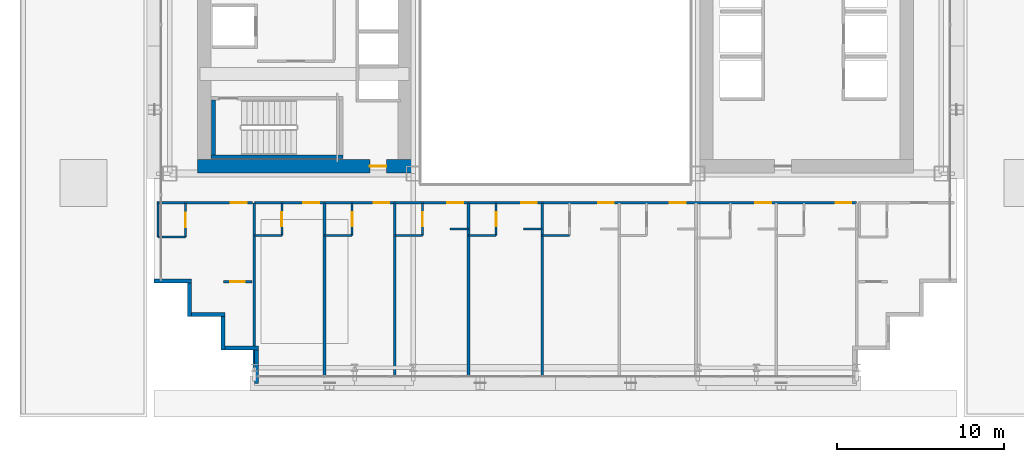
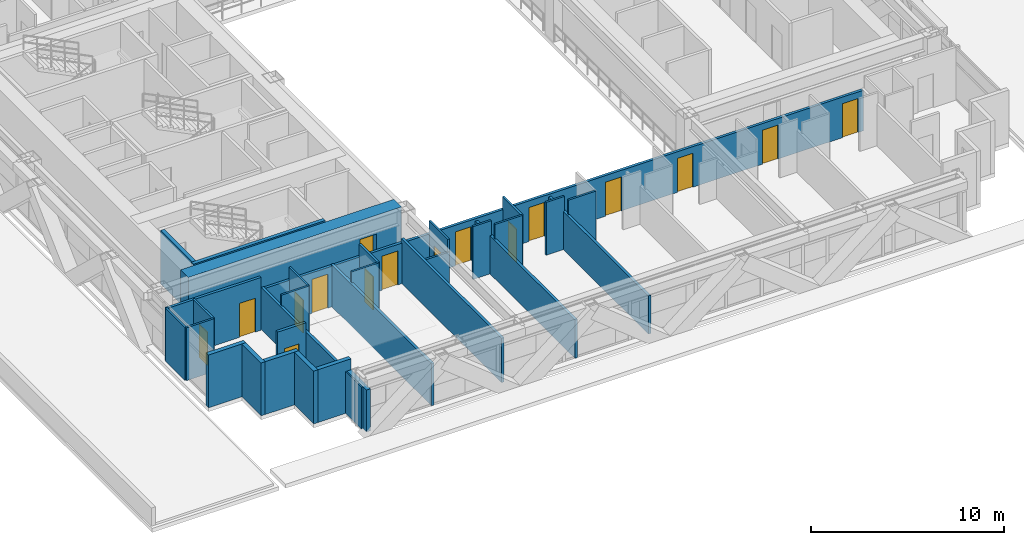
# One storey, part 26 of 35: 31 walls, 16 doors, 16 openings.
"""IFC4 building model written with IfcOpenShell, lengths in metres."""

from ifc_helpers import new_model, si_unit, direction, frame, frame_2d, origin, place, context, subcontext, project, spatial, rectangle, extrude, source, transform, mapped, material, layer, layer_set, type_object, element, fill, save


model = new_model("IFC4")

# Units and contexts
model_context = context("Model", 3, precision=1e-05, world=origin(), true_north=direction((0.0, 1.0)))
body_context = subcontext(model_context, "Body", "Model", "MODEL_VIEW")
ifc_project = project(units=[si_unit("LENGTHUNIT", "METRE"), si_unit("AREAUNIT", "SQUARE_METRE"), si_unit("VOLUMEUNIT", "CUBIC_METRE"), si_unit("PLANEANGLEUNIT", "RADIAN"), si_unit("MASSUNIT", "GRAM", prefix="KILO")], contexts=[model_context])

# Site, building, storey
site_placement = place(None, origin())
site = spatial("IfcSite", under=ifc_project, at=site_placement, CompositionType="ELEMENT")
building_placement = place(site_placement, origin())
building = spatial("IfcBuilding", under=site, at=building_placement, Name="Ocotamira Hotel", CompositionType="ELEMENT")
storey_placement = place(building_placement, frame((0.0, 0.0, 34.800048828125)))
storey = spatial("IfcBuildingStorey", under=building, at=storey_placement, Name="L07", CompositionType="ELEMENT", Elevation=34.800048828125)

# Wall, opening, door
ifc_material_1 = material(Name="Concrete C60/75", Category="concrete")
ifc_layer_1 = layer(ifc_material_1, 0.800048828125)
ifc_layer_set_1 = layer_set([ifc_layer_1], Name="Concrete C60/75")
wall_type_1 = type_object("IfcWallType", Name="WL-CORE-800", PredefinedType="SHEAR", material=ifc_layer_set_1)
wall_1_placement = place(storey_placement, frame((10.60009765625, 15.0, 0.0), z_axis=(0.0, 0.0, 1.0), x_axis=(1.0, 0.0, 0.0)))
wall_1 = element("IfcWall", 1, at=wall_1_placement, inside=storey, type_object=wall_type_1, Name="L07 Shear Core Wall WCORE-S", PredefinedType="SHEAR", context=body_context, shape_type="SweptSolid", body=[
    extrude(rectangle(XDim=12.7998046875, YDim=0.800048828125, at=frame_2d((6.39990234375, 0.0))), origin(), (0.0, 0.0, 1.0), 3.349853515625),
])
opening_1_placement = place(wall_1_placement, frame((10.300048828125, 0.0, 0.0)))
opening_1 = element("IfcOpeningElement", 2, at=opening_1_placement, cuts=wall_1, Name="Opening D-FR2", PredefinedType="OPENING", context=body_context, shape_type="SweptSolid", body=[
    extrude(rectangle(XDim=1.0, YDim=2.14990234375, at=frame_2d((0.5, 1.074951171875))), frame((0.0, 0.41015625, 0.0), z_axis=(0.0, -1.0, 0.0), x_axis=(1.0, 0.0, 0.0)), (0.0, 0.0, 1.0), 0.820068359375),
])
ifc_material_2 = material(Name="Fire-rated acoustic timber-veneer door", Category="wood")
door_type_1 = type_object("IfcDoorType", Name="DR-FIRE-1000", OperationType="NOTDEFINED", PredefinedType="DOOR", material=ifc_material_2)
shared_shape_1 = source(origin(), body_context, "Body", "SweptSolid", [
    extrude(rectangle(XDim=1.0, YDim=2.14990234375, at=frame_2d((0.5, 1.074951171875))), frame((0.0, 0.02490234375, 0.0), z_axis=(0.0, -1.0, 0.0), x_axis=(1.0, 0.0, 0.0)), (0.0, 0.0, 1.0), 0.050048828125),
])
door_1_placement = place(opening_1_placement, origin())
door_1 = element("IfcDoor", 3, at=door_1_placement, inside=storey, type_object=door_type_1, Name="L07 Door ID-L07-WLOB-S-D [ID-L07-WLOB-S-D]", OperationType="SINGLE_SWING_LEFT", OverallHeight=2.14990234375, OverallWidth=1.0, PredefinedType="DOOR", context=body_context, shape_type="MappedRepresentation", body=[
    mapped(shared_shape_1, transform((0.0, 0.0, 0.0), scale=1.0)),
])
fill(opening_1, door_1)

# Walls
ifc_material_3 = material(Name="Precast concrete C45/55", Category="concrete")
ifc_layer_2 = layer(ifc_material_3, 0.25)
ifc_layer_set_2 = layer_set([ifc_layer_2], Name="Precast concrete C45/55")
wall_type_2 = type_object("IfcWallType", Name="WL-EXT-SER-250", PredefinedType="SOLIDWALL", material=ifc_layer_set_2)
wall_2_placement = place(storey_placement, frame((8.0, 8.125, 0.0), z_axis=(0.0, 0.0, 1.0), x_axis=(1.0, 0.0, 0.0)))
element("IfcWall", 4, at=wall_2_placement, inside=storey, type_object=wall_type_2, Name="L07 Serrated Corner Wall 19", PredefinedType="SOLIDWALL", context=body_context, shape_type="SweptSolid", body=[
    extrude(rectangle(XDim=2.25, YDim=0.25, at=frame_2d((1.125, 0.0))), origin(), (0.0, 0.0, 1.0), 3.349853515625),
])
for number, where, z_axis, x_axis, name in (
    (5, (10.125, 8.0, 0.0), (0.0, 0.0, 1.0), (0.0, -1.0, 0.0), "L07 Serrated Corner Wall 20"),
    (6, (10.25, 6.125, 0.0), (0.0, 0.0, 1.0), (1.0, 0.0, 0.0), "L07 Serrated Corner Wall 21"),
    (7, (12.125, 6.0, 0.0), (0.0, 0.0, 1.0), (0.0, -1.0, 0.0), "L07 Serrated Corner Wall 22"),
    (8, (12.25, 4.125, 0.0), (0.0, 0.0, 1.0), (1.0, 0.0, 0.0), "L07 Serrated Corner Wall 23"),
):
    element("IfcWall", number, at=place(storey_placement, frame(where, z_axis=z_axis, x_axis=x_axis)), inside=storey, type_object=wall_type_2, Name=name, PredefinedType="SOLIDWALL", context=body_context, shape_type="SweptSolid", body=[
        extrude(rectangle(XDim=2.0, YDim=0.25, at=frame_2d((1.0, 0.0))), origin(), (0.0, 0.0, 1.0), 3.349853515625),
    ])
wall_3_placement = place(storey_placement, frame((14.125, 4.0, 0.0), z_axis=(0.0, 0.0, 1.0), x_axis=(0.0, -1.0, 0.0)))
element("IfcWall", 9, at=wall_3_placement, inside=storey, type_object=wall_type_2, Name="L07 Serrated Corner Wall 24", PredefinedType="SOLIDWALL", context=body_context, shape_type="SweptSolid", body=[
    extrude(rectangle(XDim=2.0, YDim=0.25, at=frame_2d((1.0, 0.0))), origin(), (0.0, 0.0, 1.0), 2.656982421875),
])

# Wall, opening, door
ifc_material_4 = material(Name="Acoustic double-layer fire gypsum board partition", Category="gypsum")
ifc_layer_3 = layer(ifc_material_4, 0.159912109375)
ifc_layer_set_3 = layer_set([ifc_layer_3], Name="Acoustic double-layer fire gypsum board partition")
wall_type_3 = type_object("IfcWallType", Name="WL-FIRE-160", PredefinedType="PARTITIONING", material=ifc_layer_set_3)
wall_4_placement = place(storey_placement, frame((8.199951171875, 12.800048828125, 0.0), z_axis=(0.0, 0.0, 1.0), x_axis=(1.0, 0.0, 0.0)))
wall_4 = element("IfcWall", 10, at=wall_4_placement, inside=storey, type_object=wall_type_3, Name="L07 Interior Wall PW-L07-Z1A-CSW-CW", PredefinedType="PARTITIONING", context=body_context, shape_type="SweptSolid", body=[
    extrude(rectangle(XDim=5.679931640625, YDim=0.159912109375, at=frame_2d((2.83984375, 0.0))), origin(), (0.0, 0.0, 1.0), 3.349853515625),
])
opening_2_placement = place(wall_4_placement, frame((4.39990234375, 0.0, 0.0)))
opening_2 = element("IfcOpeningElement", 11, at=opening_2_placement, cuts=wall_4, Name="Opening D-GR1", PredefinedType="OPENING", context=body_context, shape_type="SweptSolid", body=[
    extrude(rectangle(XDim=0.93994140625, YDim=2.14990234375, at=frame_2d((0.469970703125, 1.074951171875))), frame((0.0, 0.08984375, 0.0), z_axis=(0.0, -1.0, 0.0), x_axis=(1.0, 0.0, 0.0)), (0.0, 0.0, 1.0), 0.179931640625),
])
ifc_material_5 = material(Name="Solid-core walnut suite entrance fire door", Category="wood")
door_type_2 = type_object("IfcDoorType", Name="DR-GUEST-940", OperationType="NOTDEFINED", PredefinedType="DOOR", material=ifc_material_5)
shared_shape_2 = source(origin(), body_context, "Body", "SweptSolid", [
    extrude(rectangle(XDim=0.93994140625, YDim=2.14990234375, at=frame_2d((0.469970703125, 1.074951171875))), frame((0.0, 0.02490234375, 0.0), z_axis=(0.0, -1.0, 0.0), x_axis=(1.0, 0.0, 0.0)), (0.0, 0.0, 1.0), 0.050048828125),
])
door_2_placement = place(opening_2_placement, origin())
door_2 = element("IfcDoor", 12, at=door_2_placement, inside=storey, type_object=door_type_2, Name="L07 Door ID-L07-Z1A-CSW-CD [ID-L07-Z1A-CSW-CD]", OperationType="SINGLE_SWING_RIGHT", OverallHeight=2.14990234375, OverallWidth=0.93994140625, PredefinedType="DOOR", context=body_context, shape_type="MappedRepresentation", body=[
    mapped(shared_shape_2, transform((0.0, 0.0, 0.0), scale=1.0)),
])
fill(opening_2, door_2)

wall_5_placement = place(storey_placement, frame((12.14990234375, 8.080078125, 0.0), z_axis=(0.0, 0.0, 1.0), x_axis=(1.0, 0.0, 0.0)))
wall_5 = element("IfcWall", 13, at=wall_5_placement, inside=storey, type_object=wall_type_3, Name="L07 Interior Wall PW-L07-Z1A-CSW2-CW", PredefinedType="PARTITIONING", context=body_context, shape_type="SweptSolid", body=[
    extrude(rectangle(XDim=1.7001953125, YDim=0.159912109375, at=frame_2d((0.85009765625, 0.0))), origin(), (0.0, 0.0, 1.0), 3.349853515625),
])
opening_3_placement = place(wall_5_placement, frame((0.409912109375, 0.0, 0.0)))
opening_3 = element("IfcOpeningElement", 14, at=opening_3_placement, cuts=wall_5, Name="Opening D-SV2", PredefinedType="OPENING", context=body_context, shape_type="SweptSolid", body=[
    extrude(rectangle(XDim=0.8798828125, YDim=2.14990234375, at=frame_2d((0.43994140625, 1.074951171875))), frame((0.0, 0.08984375, 0.0), z_axis=(0.0, -1.0, 0.0), x_axis=(1.0, 0.0, 0.0)), (0.0, 0.0, 1.0), 0.179931640625),
])
ifc_material_6 = material(Name="Fire-rated painted steel service door", Category="steel")
door_type_3 = type_object("IfcDoorType", Name="DR-SERV-880", OperationType="NOTDEFINED", PredefinedType="DOOR", material=ifc_material_6)
shared_shape_3 = source(origin(), body_context, "Body", "SweptSolid", [
    extrude(rectangle(XDim=0.8798828125, YDim=2.14990234375, at=frame_2d((0.43994140625, 1.074951171875))), frame((0.0, 0.02490234375, 0.0), z_axis=(0.0, -1.0, 0.0), x_axis=(1.0, 0.0, 0.0)), (0.0, 0.0, 1.0), 0.050048828125),
])
door_3_placement = place(opening_3_placement, origin())
door_3 = element("IfcDoor", 15, at=door_3_placement, inside=storey, type_object=door_type_3, Name="L07 Door ID-L07-Z1A-CSW2-CD [ID-L07-Z1A-CSW2-CD]", OperationType="SINGLE_SWING_LEFT", OverallHeight=2.14990234375, OverallWidth=0.8798828125, PredefinedType="DOOR", context=body_context, shape_type="MappedRepresentation", body=[
    mapped(shared_shape_3, transform((0.0, 0.0, 0.0), scale=1.0)),
])
fill(opening_3, door_3)

# Wall, openings, doors
wall_6_placement = place(storey_placement, frame((14.0, 12.800048828125, 0.0), z_axis=(0.0, 0.0, 1.0), x_axis=(1.0, 0.0, 0.0)))
wall_6 = element("IfcWall", 16, at=wall_6_placement, inside=storey, type_object=wall_type_3, Name="L07 Interior Wall PW-L07-Z1AS-CORRW", PredefinedType="PARTITIONING", context=body_context, shape_type="SweptSolid", body=[
    extrude(rectangle(XDim=36.0, YDim=0.159912109375, at=frame_2d((18.0, 0.0))), origin(), (0.0, 0.0, 1.0), 2.571044921875),
])
opening_4_placement = place(wall_6_placement, frame((2.93994140625, 0.0, 0.0)))
opening_4 = element("IfcOpeningElement", 17, at=opening_4_placement, cuts=wall_6, Name="Opening D-GR1", PredefinedType="OPENING", context=body_context, shape_type="SweptSolid", body=[
    extrude(rectangle(XDim=0.93994140625, YDim=2.14990234375, at=frame_2d((0.469970703125, 1.074951171875))), frame((0.0, 0.08984375, 0.0), z_axis=(0.0, -1.0, 0.0), x_axis=(1.0, 0.0, 0.0)), (0.0, 0.0, 1.0), 0.179931640625),
])
opening_5_placement = place(wall_6_placement, frame((7.139892578125, 0.0, 0.0)))
opening_5 = element("IfcOpeningElement", 18, at=opening_5_placement, cuts=wall_6, Name="Opening D-GR1", PredefinedType="OPENING", context=body_context, shape_type="SweptSolid", body=[
    extrude(rectangle(XDim=0.93994140625, YDim=2.14990234375, at=frame_2d((0.469970703125, 1.074951171875))), frame((0.0, 0.08984375, 0.0), z_axis=(0.0, -1.0, 0.0), x_axis=(1.0, 0.0, 0.0)), (0.0, 0.0, 1.0), 0.179931640625),
])
opening_6_placement = place(wall_6_placement, frame((11.5400390625, 0.0, 0.0)))
opening_6 = element("IfcOpeningElement", 19, at=opening_6_placement, cuts=wall_6, Name="Opening D-GR1", PredefinedType="OPENING", context=body_context, shape_type="SweptSolid", body=[
    extrude(rectangle(XDim=0.93994140625, YDim=2.14990234375, at=frame_2d((0.469970703125, 1.074951171875))), frame((0.0, 0.08984375, 0.0), z_axis=(0.0, -1.0, 0.0), x_axis=(1.0, 0.0, 0.0)), (0.0, 0.0, 1.0), 0.179931640625),
])
opening_7_placement = place(wall_6_placement, frame((15.93994140625, 0.0, 0.0)))
opening_7 = element("IfcOpeningElement", 20, at=opening_7_placement, cuts=wall_6, Name="Opening D-GR1", PredefinedType="OPENING", context=body_context, shape_type="SweptSolid", body=[
    extrude(rectangle(XDim=0.93994140625, YDim=2.14990234375, at=frame_2d((0.469970703125, 1.074951171875))), frame((0.0, 0.08984375, 0.0), z_axis=(0.0, -1.0, 0.0), x_axis=(1.0, 0.0, 0.0)), (0.0, 0.0, 1.0), 0.179931640625),
])
opening_8_placement = place(wall_6_placement, frame((20.5400390625, 0.0, 0.0)))
opening_8 = element("IfcOpeningElement", 21, at=opening_8_placement, cuts=wall_6, Name="Opening D-GR1", PredefinedType="OPENING", context=body_context, shape_type="SweptSolid", body=[
    extrude(rectangle(XDim=0.93994140625, YDim=2.14990234375, at=frame_2d((0.469970703125, 1.074951171875))), frame((0.0, 0.08984375, 0.0), z_axis=(0.0, -1.0, 0.0), x_axis=(1.0, 0.0, 0.0)), (0.0, 0.0, 1.0), 0.179931640625),
])
opening_9_placement = place(wall_6_placement, frame((24.840087890625, 0.0, 0.0)))
opening_9 = element("IfcOpeningElement", 22, at=opening_9_placement, cuts=wall_6, Name="Opening D-GR1", PredefinedType="OPENING", context=body_context, shape_type="SweptSolid", body=[
    extrude(rectangle(XDim=0.93994140625, YDim=2.14990234375, at=frame_2d((0.469970703125, 1.074951171875))), frame((0.0, 0.08984375, 0.0), z_axis=(0.0, -1.0, 0.0), x_axis=(1.0, 0.0, 0.0)), (0.0, 0.0, 1.0), 0.179931640625),
])
opening_10_placement = place(wall_6_placement, frame((29.93994140625, 0.0, 0.0)))
opening_10 = element("IfcOpeningElement", 23, at=opening_10_placement, cuts=wall_6, Name="Opening D-GR1", PredefinedType="OPENING", context=body_context, shape_type="SweptSolid", body=[
    extrude(rectangle(XDim=0.93994140625, YDim=2.14990234375, at=frame_2d((0.469970703125, 1.074951171875))), frame((0.0, 0.08984375, 0.0), z_axis=(0.0, -1.0, 0.0), x_axis=(1.0, 0.0, 0.0)), (0.0, 0.0, 1.0), 0.179931640625),
])
opening_11_placement = place(wall_6_placement, frame((34.739990234375, 0.0, 0.0)))
opening_11 = element("IfcOpeningElement", 24, at=opening_11_placement, cuts=wall_6, Name="Opening D-GR1", PredefinedType="OPENING", context=body_context, shape_type="SweptSolid", body=[
    extrude(rectangle(XDim=0.93994140625, YDim=2.14990234375, at=frame_2d((0.469970703125, 1.074951171875))), frame((0.0, 0.08984375, 0.0), z_axis=(0.0, -1.0, 0.0), x_axis=(1.0, 0.0, 0.0)), (0.0, 0.0, 1.0), 0.179931640625),
])
door_4_placement = place(opening_4_placement, origin())
door_4 = element("IfcDoor", 25, at=door_4_placement, inside=storey, type_object=door_type_2, Name="L07 Door ID-L07-Z1AS-RMD1 [ID-L07-Z1AS-RMD1]", OperationType="SINGLE_SWING_LEFT", OverallHeight=2.14990234375, OverallWidth=0.93994140625, PredefinedType="DOOR", context=body_context, shape_type="MappedRepresentation", body=[
    mapped(shared_shape_2, transform((0.0, 0.0, 0.0), scale=1.0)),
])
fill(opening_4, door_4)
door_5_placement = place(opening_5_placement, origin())
door_5 = element("IfcDoor", 26, at=door_5_placement, inside=storey, type_object=door_type_2, Name="L07 Door ID-L07-Z1AS-RMD2 [ID-L07-Z1AS-RMD2]", OperationType="SINGLE_SWING_RIGHT", OverallHeight=2.14990234375, OverallWidth=0.93994140625, PredefinedType="DOOR", context=body_context, shape_type="MappedRepresentation", body=[
    mapped(shared_shape_2, transform((0.0, 0.0, 0.0), scale=1.0)),
])
fill(opening_5, door_5)
door_6_placement = place(opening_6_placement, origin())
door_6 = element("IfcDoor", 27, at=door_6_placement, inside=storey, type_object=door_type_2, Name="L07 Door ID-L07-Z1AS-RMD3 [ID-L07-Z1AS-RMD3]", OperationType="SINGLE_SWING_LEFT", OverallHeight=2.14990234375, OverallWidth=0.93994140625, PredefinedType="DOOR", context=body_context, shape_type="MappedRepresentation", body=[
    mapped(shared_shape_2, transform((0.0, 0.0, 0.0), scale=1.0)),
])
fill(opening_6, door_6)
door_7_placement = place(opening_7_placement, origin())
door_7 = element("IfcDoor", 28, at=door_7_placement, inside=storey, type_object=door_type_2, Name="L07 Door ID-L07-Z1AS-RMD4 [ID-L07-Z1AS-RMD4]", OperationType="SINGLE_SWING_RIGHT", OverallHeight=2.14990234375, OverallWidth=0.93994140625, PredefinedType="DOOR", context=body_context, shape_type="MappedRepresentation", body=[
    mapped(shared_shape_2, transform((0.0, 0.0, 0.0), scale=1.0)),
])
fill(opening_7, door_7)
door_8_placement = place(opening_8_placement, origin())
door_8 = element("IfcDoor", 29, at=door_8_placement, inside=storey, type_object=door_type_2, Name="L07 Door ID-L07-Z1AS-RMD5 [ID-L07-Z1AS-RMD5]", OperationType="SINGLE_SWING_LEFT", OverallHeight=2.14990234375, OverallWidth=0.93994140625, PredefinedType="DOOR", context=body_context, shape_type="MappedRepresentation", body=[
    mapped(shared_shape_2, transform((0.0, 0.0, 0.0), scale=1.0)),
])
fill(opening_8, door_8)
door_9_placement = place(opening_9_placement, origin())
door_9 = element("IfcDoor", 30, at=door_9_placement, inside=storey, type_object=door_type_2, Name="L07 Door ID-L07-Z1AS-RMD6 [ID-L07-Z1AS-RMD6]", OperationType="SINGLE_SWING_RIGHT", OverallHeight=2.14990234375, OverallWidth=0.93994140625, PredefinedType="DOOR", context=body_context, shape_type="MappedRepresentation", body=[
    mapped(shared_shape_2, transform((0.0, 0.0, 0.0), scale=1.0)),
])
fill(opening_9, door_9)
door_10_placement = place(opening_10_placement, origin())
door_10 = element("IfcDoor", 31, at=door_10_placement, inside=storey, type_object=door_type_2, Name="L07 Door ID-L07-Z1AS-RMD7 [ID-L07-Z1AS-RMD7]", OperationType="SINGLE_SWING_LEFT", OverallHeight=2.14990234375, OverallWidth=0.93994140625, PredefinedType="DOOR", context=body_context, shape_type="MappedRepresentation", body=[
    mapped(shared_shape_2, transform((0.0, 0.0, 0.0), scale=1.0)),
])
fill(opening_10, door_10)
door_11_placement = place(opening_11_placement, origin())
door_11 = element("IfcDoor", 32, at=door_11_placement, inside=storey, type_object=door_type_2, Name="L07 Door ID-L07-Z1AS-RMD8 [ID-L07-Z1AS-RMD8]", OperationType="SINGLE_SWING_RIGHT", OverallHeight=2.14990234375, OverallWidth=0.93994140625, PredefinedType="DOOR", context=body_context, shape_type="MappedRepresentation", body=[
    mapped(shared_shape_2, transform((0.0, 0.0, 0.0), scale=1.0)),
])
fill(opening_11, door_11)

# Wall, opening, door
ifc_material_7 = material(Name="Moisture-resistant en-suite tile and gypsum partition", Category="gypsum")
ifc_layer_4 = layer(ifc_material_7, 0.1201171875)
ifc_layer_set_4 = layer_set([ifc_layer_4], Name="Moisture-resistant en-suite tile and gypsum partition")
wall_type_4 = type_object("IfcWallType", Name="WL-PART-120", PredefinedType="PARTITIONING", material=ifc_layer_set_4)
wall_7_placement = place(storey_placement, frame((9.889892578125, 10.760009765625, 0.0), z_axis=(0.0, 0.0, 1.0), x_axis=(0.0, 1.0, 0.0)))
wall_7 = element("IfcWall", 33, at=wall_7_placement, inside=storey, type_object=wall_type_4, Name="L07 Interior Wall PW-L07-Z1A-CSW-BE", PredefinedType="PARTITIONING", context=body_context, shape_type="SweptSolid", body=[
    extrude(rectangle(XDim=2.0400390625, YDim=0.1201171875, at=frame_2d((1.02001953125, 0.0))), origin(), (0.0, 0.0, 1.0), 3.349853515625),
])
opening_12_placement = place(wall_7_placement, frame((0.590087890625, 0.0, 0.0)))
opening_12 = element("IfcOpeningElement", 34, at=opening_12_placement, cuts=wall_7, Name="Opening D-BA1", PredefinedType="OPENING", context=body_context, shape_type="SweptSolid", body=[
    extrude(rectangle(XDim=0.860107421875, YDim=2.10009765625, at=frame_2d((0.43017578125, 1.050048828125))), frame((0.0, 0.070068359375, 0.0), z_axis=(0.0, -1.0, 0.0), x_axis=(1.0, 0.0, 0.0)), (0.0, 0.0, 1.0), 0.14013671875),
])
ifc_material_8 = material(Name="Moisture-sealed en-suite timber door", Category="wood")
door_type_4 = type_object("IfcDoorType", Name="DR-BATH-860", OperationType="NOTDEFINED", PredefinedType="DOOR", material=ifc_material_8)
shared_shape_4 = source(origin(), body_context, "Body", "SweptSolid", [
    extrude(rectangle(XDim=0.860107421875, YDim=2.10009765625, at=frame_2d((0.43017578125, 1.050048828125))), frame((0.0, 0.02490234375, 0.0), z_axis=(0.0, -1.0, 0.0), x_axis=(1.0, 0.0, 0.0)), (0.0, 0.0, 1.0), 0.050048828125),
])
door_12_placement = place(opening_12_placement, origin())
door_12 = element("IfcDoor", 35, at=door_12_placement, inside=storey, type_object=door_type_4, Name="L07 Door ID-L07-Z1A-CSW-BD [ID-L07-Z1A-CSW-BD]", OperationType="SINGLE_SWING_LEFT", OverallHeight=2.10009765625, OverallWidth=0.860107421875, PredefinedType="DOOR", context=body_context, shape_type="MappedRepresentation", body=[
    mapped(shared_shape_4, transform((0.0, 0.0, 0.0), scale=1.0)),
])
fill(opening_12, door_12)

# Walls
wall_8_placement = place(storey_placement, frame((8.239990234375, 10.760009765625, 0.0), z_axis=(0.0, 0.0, 1.0), x_axis=(0.0, 1.0, 0.0)))
element("IfcWall", 36, at=wall_8_placement, inside=storey, type_object=wall_type_4, Name="L07 Interior Wall PW-L07-Z1A-CSW-BW", PredefinedType="PARTITIONING", context=body_context, shape_type="SweptSolid", body=[
    extrude(rectangle(XDim=2.0400390625, YDim=0.1201171875, at=frame_2d((1.02001953125, 0.0))), origin(), (0.0, 0.0, 1.0), 3.349853515625),
])
wall_9_placement = place(storey_placement, frame((8.239990234375, 10.760009765625, 0.0), z_axis=(0.0, 0.0, 1.0), x_axis=(1.0, 0.0, 0.0)))
element("IfcWall", 37, at=wall_9_placement, inside=storey, type_object=wall_type_4, Name="L07 Interior Wall PW-L07-Z1A-CSW-BH", PredefinedType="PARTITIONING", context=body_context, shape_type="SweptSolid", body=[
    extrude(rectangle(XDim=1.64990234375, YDim=0.1201171875, at=frame_2d((0.824951171875, 0.0))), origin(), (0.0, 0.0, 1.0), 3.349853515625),
])

# Wall, opening, door
wall_10_placement = place(storey_placement, frame((15.64990234375, 10.85009765625, 0.0), z_axis=(0.0, 0.0, 1.0), x_axis=(0.0, 1.0, 0.0)))
wall_10 = element("IfcWall", 38, at=wall_10_placement, inside=storey, type_object=wall_type_4, Name="L07 Interior Wall PW-L07-Z1AS-BAE1", PredefinedType="PARTITIONING", context=body_context, shape_type="SweptSolid", body=[
    extrude(rectangle(XDim=1.949951171875, YDim=0.1201171875, at=frame_2d((0.97509765625, 0.0))), origin(), (0.0, 0.0, 1.0), 3.349853515625),
])
opening_13_placement = place(wall_10_placement, frame((0.544921875, 0.0, 0.0)))
opening_13 = element("IfcOpeningElement", 39, at=opening_13_placement, cuts=wall_10, Name="Opening D-BA1", PredefinedType="OPENING", context=body_context, shape_type="SweptSolid", body=[
    extrude(rectangle(XDim=0.860107421875, YDim=2.10009765625, at=frame_2d((0.43017578125, 1.050048828125))), frame((0.0, 0.070068359375, 0.0), z_axis=(0.0, -1.0, 0.0), x_axis=(1.0, 0.0, 0.0)), (0.0, 0.0, 1.0), 0.14013671875),
])
door_13_placement = place(opening_13_placement, origin())
door_13 = element("IfcDoor", 40, at=door_13_placement, inside=storey, type_object=door_type_4, Name="L07 Door ID-L07-Z1AS-BAD1 [ID-L07-Z1AS-BAD1]", OperationType="SINGLE_SWING_RIGHT", OverallHeight=2.10009765625, OverallWidth=0.860107421875, PredefinedType="DOOR", context=body_context, shape_type="MappedRepresentation", body=[
    mapped(shared_shape_4, transform((0.0, 0.0, 0.0), scale=1.0)),
])
fill(opening_13, door_13)

# Wall
wall_11_placement = place(storey_placement, frame((14.0, 10.85009765625, 0.0), z_axis=(0.0, 0.0, 1.0), x_axis=(1.0, 0.0, 0.0)))
element("IfcWall", 41, at=wall_11_placement, inside=storey, type_object=wall_type_4, Name="L07 Interior Wall PW-L07-Z1AS-BAS1", PredefinedType="PARTITIONING", context=body_context, shape_type="SweptSolid", body=[
    extrude(rectangle(XDim=1.64990234375, YDim=0.1201171875, at=frame_2d((0.824951171875, 0.0))), origin(), (0.0, 0.0, 1.0), 3.349853515625),
])

# Wall, opening, door
wall_12_placement = place(storey_placement, frame((19.85009765625, 10.85009765625, 0.0), z_axis=(0.0, 0.0, 1.0), x_axis=(0.0, 1.0, 0.0)))
wall_12 = element("IfcWall", 42, at=wall_12_placement, inside=storey, type_object=wall_type_4, Name="L07 Interior Wall PW-L07-Z1AS-BAE2", PredefinedType="PARTITIONING", context=body_context, shape_type="SweptSolid", body=[
    extrude(rectangle(XDim=1.949951171875, YDim=0.1201171875, at=frame_2d((0.97509765625, 0.0))), origin(), (0.0, 0.0, 1.0), 3.349853515625),
])
opening_14_placement = place(wall_12_placement, frame((0.544921875, 0.0, 0.0)))
opening_14 = element("IfcOpeningElement", 43, at=opening_14_placement, cuts=wall_12, Name="Opening D-BA1", PredefinedType="OPENING", context=body_context, shape_type="SweptSolid", body=[
    extrude(rectangle(XDim=0.860107421875, YDim=2.10009765625, at=frame_2d((0.43017578125, 1.050048828125))), frame((0.0, 0.070068359375, 0.0), z_axis=(0.0, -1.0, 0.0), x_axis=(1.0, 0.0, 0.0)), (0.0, 0.0, 1.0), 0.14013671875),
])
door_14_placement = place(opening_14_placement, origin())
door_14 = element("IfcDoor", 44, at=door_14_placement, inside=storey, type_object=door_type_4, Name="L07 Door ID-L07-Z1AS-BAD2 [ID-L07-Z1AS-BAD2]", OperationType="SINGLE_SWING_LEFT", OverallHeight=2.10009765625, OverallWidth=0.860107421875, PredefinedType="DOOR", context=body_context, shape_type="MappedRepresentation", body=[
    mapped(shared_shape_4, transform((0.0, 0.0, 0.0), scale=1.0)),
])
fill(opening_14, door_14)

# Wall
wall_13_placement = place(storey_placement, frame((18.199951171875, 10.85009765625, 0.0), z_axis=(0.0, 0.0, 1.0), x_axis=(1.0, 0.0, 0.0)))
element("IfcWall", 45, at=wall_13_placement, inside=storey, type_object=wall_type_4, Name="L07 Interior Wall PW-L07-Z1AS-BAS2", PredefinedType="PARTITIONING", context=body_context, shape_type="SweptSolid", body=[
    extrude(rectangle(XDim=1.650146484375, YDim=0.1201171875, at=frame_2d((0.8251953125, 0.0))), origin(), (0.0, 0.0, 1.0), 3.349853515625),
])

# Wall, opening, door
wall_14_placement = place(storey_placement, frame((24.050048828125, 10.85009765625, 0.0), z_axis=(0.0, 0.0, 1.0), x_axis=(0.0, 1.0, 0.0)))
wall_14 = element("IfcWall", 46, at=wall_14_placement, inside=storey, type_object=wall_type_4, Name="L07 Interior Wall PW-L07-Z1AS-BAE3", PredefinedType="PARTITIONING", context=body_context, shape_type="SweptSolid", body=[
    extrude(rectangle(XDim=1.949951171875, YDim=0.1201171875, at=frame_2d((0.97509765625, 0.0))), origin(), (0.0, 0.0, 1.0), 3.349853515625),
])
opening_15_placement = place(wall_14_placement, frame((0.544921875, 0.0, 0.0)))
opening_15 = element("IfcOpeningElement", 47, at=opening_15_placement, cuts=wall_14, Name="Opening D-BA1", PredefinedType="OPENING", context=body_context, shape_type="SweptSolid", body=[
    extrude(rectangle(XDim=0.860107421875, YDim=2.10009765625, at=frame_2d((0.43017578125, 1.050048828125))), frame((0.0, 0.070068359375, 0.0), z_axis=(0.0, -1.0, 0.0), x_axis=(1.0, 0.0, 0.0)), (0.0, 0.0, 1.0), 0.14013671875),
])
door_15_placement = place(opening_15_placement, origin())
door_15 = element("IfcDoor", 48, at=door_15_placement, inside=storey, type_object=door_type_4, Name="L07 Door ID-L07-Z1AS-BAD3 [ID-L07-Z1AS-BAD3]", OperationType="SINGLE_SWING_RIGHT", OverallHeight=2.10009765625, OverallWidth=0.860107421875, PredefinedType="DOOR", context=body_context, shape_type="MappedRepresentation", body=[
    mapped(shared_shape_4, transform((0.0, 0.0, 0.0), scale=1.0)),
])
fill(opening_15, door_15)

# Walls
wall_15_placement = place(storey_placement, frame((22.39990234375, 10.85009765625, 0.0), z_axis=(0.0, 0.0, 1.0), x_axis=(1.0, 0.0, 0.0)))
element("IfcWall", 49, at=wall_15_placement, inside=storey, type_object=wall_type_4, Name="L07 Interior Wall PW-L07-Z1AS-BAS3", PredefinedType="PARTITIONING", context=body_context, shape_type="SweptSolid", body=[
    extrude(rectangle(XDim=1.650146484375, YDim=0.1201171875, at=frame_2d((0.8251953125, 0.0))), origin(), (0.0, 0.0, 1.0), 2.571044921875),
])
wall_16_placement = place(storey_placement, frame((25.699951171875, 11.25, 0.0), z_axis=(0.0, 0.0, 1.0), x_axis=(1.0, 0.0, 0.0)))
element("IfcWall", 50, at=wall_16_placement, inside=storey, type_object=wall_type_4, Name="L07 Interior Wall PW-L07-Z1AS-DRN3", PredefinedType="PARTITIONING", context=body_context, shape_type="SweptSolid", body=[
    extrude(rectangle(XDim=1.10009765625, YDim=0.1201171875, at=frame_2d((0.550048828125, 0.0))), origin(), (0.0, 0.0, 1.0), 3.349853515625),
])

# Wall, opening, door
wall_17_placement = place(storey_placement, frame((28.449951171875, 10.85009765625, 0.0), z_axis=(0.0, 0.0, 1.0), x_axis=(0.0, 1.0, 0.0)))
wall_17 = element("IfcWall", 51, at=wall_17_placement, inside=storey, type_object=wall_type_4, Name="L07 Interior Wall PW-L07-Z1AS-BAE4", PredefinedType="PARTITIONING", context=body_context, shape_type="SweptSolid", body=[
    extrude(rectangle(XDim=1.949951171875, YDim=0.1201171875, at=frame_2d((0.97509765625, 0.0))), origin(), (0.0, 0.0, 1.0), 3.349853515625),
])
opening_16_placement = place(wall_17_placement, frame((0.544921875, 0.0, 0.0)))
opening_16 = element("IfcOpeningElement", 52, at=opening_16_placement, cuts=wall_17, Name="Opening D-BA1", PredefinedType="OPENING", context=body_context, shape_type="SweptSolid", body=[
    extrude(rectangle(XDim=0.860107421875, YDim=2.10009765625, at=frame_2d((0.43017578125, 1.050048828125))), frame((0.0, 0.070068359375, 0.0), z_axis=(0.0, -1.0, 0.0), x_axis=(1.0, 0.0, 0.0)), (0.0, 0.0, 1.0), 0.14013671875),
])
door_16_placement = place(opening_16_placement, origin())
door_16 = element("IfcDoor", 53, at=door_16_placement, inside=storey, type_object=door_type_4, Name="L07 Door ID-L07-Z1AS-BAD4 [ID-L07-Z1AS-BAD4]", OperationType="SINGLE_SWING_LEFT", OverallHeight=2.10009765625, OverallWidth=0.860107421875, PredefinedType="DOOR", context=body_context, shape_type="MappedRepresentation", body=[
    mapped(shared_shape_4, transform((0.0, 0.0, 0.0), scale=1.0)),
])
fill(opening_16, door_16)

# Walls
wall_18_placement = place(storey_placement, frame((26.800048828125, 10.85009765625, 0.0), z_axis=(0.0, 0.0, 1.0), x_axis=(1.0, 0.0, 0.0)))
element("IfcWall", 54, at=wall_18_placement, inside=storey, type_object=wall_type_4, Name="L07 Interior Wall PW-L07-Z1AS-BAS4", PredefinedType="PARTITIONING", context=body_context, shape_type="SweptSolid", body=[
    extrude(rectangle(XDim=1.64990234375, YDim=0.1201171875, at=frame_2d((0.824951171875, 0.0))), origin(), (0.0, 0.0, 1.0), 3.349853515625),
])
wall_19_placement = place(storey_placement, frame((30.10009765625, 11.25, 0.0), z_axis=(0.0, 0.0, 1.0), x_axis=(1.0, 0.0, 0.0)))
element("IfcWall", 55, at=wall_19_placement, inside=storey, type_object=wall_type_4, Name="L07 Interior Wall PW-L07-Z1AS-DRN4", PredefinedType="PARTITIONING", context=body_context, shape_type="SweptSolid", body=[
    extrude(rectangle(XDim=1.099853515625, YDim=0.1201171875, at=frame_2d((0.5498046875, 0.0))), origin(), (0.0, 0.0, 1.0), 3.349853515625),
])
wall_20_placement = place(storey_placement, frame((31.199951171875, 10.85009765625, 0.0), z_axis=(0.0, 0.0, 1.0), x_axis=(1.0, 0.0, 0.0)))
element("IfcWall", 56, at=wall_20_placement, inside=storey, type_object=wall_type_4, Name="L07 Interior Wall PW-L07-Z1AS-BAS5", PredefinedType="PARTITIONING", context=body_context, shape_type="SweptSolid", body=[
    extrude(rectangle(XDim=1.650146484375, YDim=0.1201171875, at=frame_2d((0.8251953125, 0.0))), origin(), (0.0, 0.0, 1.0), 3.349853515625),
])
ifc_material_9 = material(Name="Acoustic double-stud hospitality gypsum partition", Category="gypsum")
ifc_layer_5 = layer(ifc_material_9, 0.159912109375)
ifc_layer_set_5 = layer_set([ifc_layer_5], Name="Acoustic double-stud hospitality gypsum partition")
wall_type_5 = type_object("IfcWallType", Name="WL-PART-160", PredefinedType="PARTITIONING", material=ifc_layer_set_5)
for number, where, z_axis, x_axis, name in (
    (57, (14.0, 2.360107421875, 0.0), (0.0, 0.0, 1.0), (0.0, 1.0, 0.0), "L07 Interior Wall PW-L07-Z1AS-PW0"),
    (58, (18.199951171875, 2.360107421875, 0.0), (0.0, 0.0, 1.0), (0.0, 1.0, 0.0), "L07 Interior Wall PW-L07-Z1AS-PW1"),
):
    element("IfcWall", number, at=place(storey_placement, frame(where, z_axis=z_axis, x_axis=x_axis)), inside=storey, type_object=wall_type_5, Name=name, PredefinedType="PARTITIONING", context=body_context, shape_type="SweptSolid", body=[
        extrude(rectangle(XDim=10.43994140625, YDim=0.159912109375, at=frame_2d((5.219970703125, 0.0))), origin(), (0.0, 0.0, 1.0), 2.656982421875),
    ])
wall_21_placement = place(storey_placement, frame((22.39990234375, 2.360107421875, 0.0), z_axis=(0.0, 0.0, 1.0), x_axis=(0.0, 1.0, 0.0)))
element("IfcWall", 59, at=wall_21_placement, inside=storey, type_object=wall_type_5, Name="L07 Interior Wall PW-L07-Z1AS-PW2", PredefinedType="PARTITIONING", context=body_context, shape_type="SweptSolid", body=[
    extrude(rectangle(XDim=10.43994140625, YDim=0.159912109375, at=frame_2d((5.219970703125, 0.0))), origin(), (0.0, 0.0, 1.0), 2.81298828125),
])
for number, where, z_axis, x_axis, name in (
    (60, (26.800048828125, 2.360107421875, 0.0), (0.0, 0.0, 1.0), (0.0, 1.0, 0.0), "L07 Interior Wall PW-L07-Z1AS-PW3"),
    (61, (31.199951171875, 2.360107421875, 0.0), (0.0, 0.0, 1.0), (0.0, 1.0, 0.0), "L07 Interior Wall PW-L07-Z1AS-PW4"),
):
    element("IfcWall", number, at=place(storey_placement, frame(where, z_axis=z_axis, x_axis=x_axis)), inside=storey, type_object=wall_type_5, Name=name, PredefinedType="PARTITIONING", context=body_context, shape_type="SweptSolid", body=[
        extrude(rectangle(XDim=10.43994140625, YDim=0.159912109375, at=frame_2d((5.219970703125, 0.0))), origin(), (0.0, 0.0, 1.0), 2.4228515625),
    ])
ifc_material_10 = material(Name="Concrete C50/60", Category="concrete")
ifc_layer_6 = layer(ifc_material_10, 0.219970703125)
ifc_layer_set_6 = layer_set([ifc_layer_6], Name="Concrete C50/60")
wall_type_6 = type_object("IfcWallType", Name="WL-STAIR-220", PredefinedType="SHEAR", material=ifc_layer_set_6)
wall_22_placement = place(storey_placement, frame((11.39990234375, 15.56005859375, 0.0), z_axis=(0.0, 0.0, 1.0), x_axis=(1.0, 0.0, 0.0)))
element("IfcWall", 62, at=wall_22_placement, inside=storey, type_object=wall_type_6, Name="L07 Stair Shaft Structural Wall ST-1-S", PredefinedType="SHEAR", context=body_context, shape_type="SweptSolid", body=[
    extrude(rectangle(XDim=7.91015625, YDim=0.219970703125, at=frame_2d((3.955078125, 0.0))), origin(), (0.0, 0.0, 1.0), 3.39990234375),
])
wall_23_placement = place(storey_placement, frame((11.56005859375, 15.669921875, 0.0), z_axis=(0.0, 0.0, 1.0), x_axis=(0.0, 1.0, 0.0)))
element("IfcWall", 63, at=wall_23_placement, inside=storey, type_object=wall_type_6, Name="L07 Stair Shaft Structural Wall ST-1-W", PredefinedType="SHEAR", context=body_context, shape_type="SweptSolid", body=[
    extrude(rectangle(XDim=3.280029296875, YDim=0.219970703125, at=frame_2d((1.64013671875, 0.0))), origin(), (0.0, 0.0, 1.0), 3.39990234375),
])

save(model, "model.ifc")
